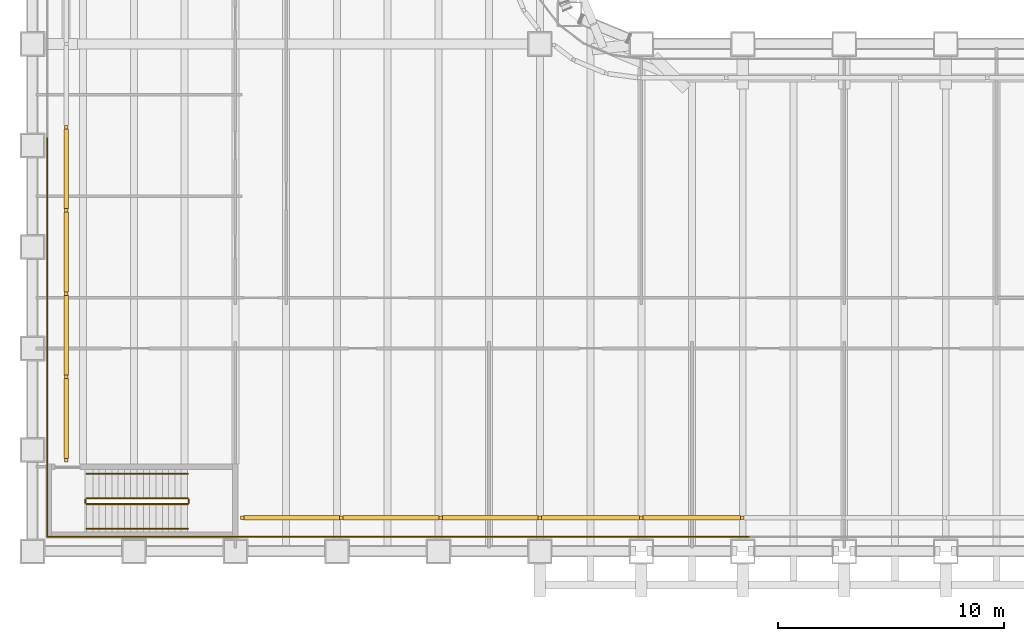
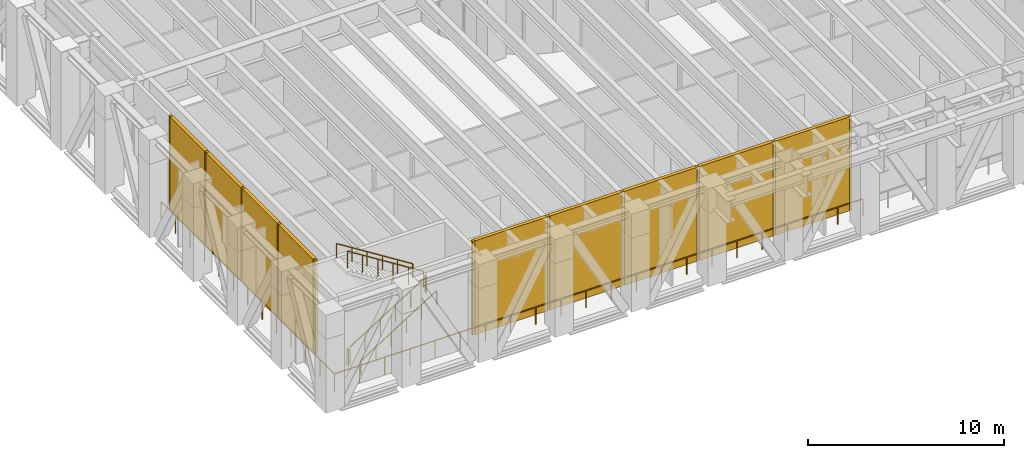
# One storey, part 14 of 19: 20 shading devices, 17 railings.
"""IFC4 building model written with IfcOpenShell, lengths in metres."""

from ifc_helpers import new_model, si_unit, direction, frame, origin, origin_2d, place, context, subcontext, project, spatial, rectangle, extrude, material, layer, layer_set, type_object, element, save


model = new_model("IFC4")

# Units and contexts
model_context = context("Model", 3, precision=1e-05, world=origin(), true_north=direction((0.0, 1.0)))
body_context = subcontext(model_context, "Body", "Model", "MODEL_VIEW")
ifc_project = project(units=[si_unit("LENGTHUNIT", "METRE"), si_unit("AREAUNIT", "SQUARE_METRE"), si_unit("VOLUMEUNIT", "CUBIC_METRE"), si_unit("PLANEANGLEUNIT", "RADIAN"), si_unit("MASSUNIT", "GRAM", prefix="KILO")], contexts=[model_context])

# Site, building, storey
site_placement = place(None, origin())
site = spatial("IfcSite", under=ifc_project, at=site_placement, CompositionType="ELEMENT")
building_placement = place(site_placement, origin())
building = spatial("IfcBuilding", under=site, at=building_placement, Name="Sennacour Bend Tower", CompositionType="ELEMENT")
storey_placement = place(building_placement, frame((0.0, 0.0, 77.0)))
storey = spatial("IfcBuildingStorey", under=building, at=storey_placement, Name="L17", CompositionType="ELEMENT", Elevation=77.0)

# Railings
ifc_material_1 = material(Name="Stainless steel 316", Category="steel")
railing_type_1 = type_object("IfcRailingType", Name="GUARD 1100", PredefinedType="GUARDRAIL", material=ifc_material_1)
railing_1_placement = place(storey_placement, frame((31.770263671875, 0.64990234375, 0.0)))
element("IfcRailing", 1, at=railing_1_placement, inside=storey, type_object=railing_type_1, Name="Guard L17", PredefinedType="GUARDRAIL", context=body_context, shape_type="SweptSolid", body=[
    extrude(rectangle(XDim=0.048095703125, YDim=0.048095703125, at=origin_2d()), frame((0.0, 0.0, 1.076171875), z_axis=(-1.0, 0.0, 0.0), x_axis=(0.0, -1.0, 0.0)), (0.0, 0.0, 1.0), 4.44580078125),
    extrude(rectangle(XDim=0.0419921875, YDim=0.0419921875, at=origin_2d()), origin(), (0.0, 0.0, 1.0), 1.052001953125),
    extrude(rectangle(XDim=0.0419921875, YDim=0.0419921875, at=origin_2d()), frame((-1.48193359375, 0.0, 0.0)), (0.0, 0.0, 1.0), 1.052001953125),
    extrude(rectangle(XDim=0.0419921875, YDim=0.0419921875, at=origin_2d()), frame((-2.9638671875, 0.0, 0.0)), (0.0, 0.0, 1.0), 1.052001953125),
    extrude(rectangle(XDim=0.0419921875, YDim=0.0419921875, at=origin_2d()), frame((-4.44580078125, 0.0, 0.0)), (0.0, 0.0, 1.0), 1.052001953125),
])
railing_2_placement = place(storey_placement, frame((27.324462890625, 0.64990234375, 0.0)))
element("IfcRailing", 2, at=railing_2_placement, inside=storey, type_object=railing_type_1, Name="Guard L17", PredefinedType="GUARDRAIL", context=body_context, shape_type="SweptSolid", body=[
    extrude(rectangle(XDim=0.048095703125, YDim=0.048095703125, at=origin_2d()), frame((0.0, 0.0, 1.076171875), z_axis=(-1.0, 0.0, 0.0), x_axis=(0.0, -1.0, 0.0)), (0.0, 0.0, 1.0), 4.445556640625),
    extrude(rectangle(XDim=0.0419921875, YDim=0.0419921875, at=origin_2d()), origin(), (0.0, 0.0, 1.0), 1.052001953125),
    extrude(rectangle(XDim=0.0419921875, YDim=0.0419921875, at=origin_2d()), frame((-1.48193359375, 0.0, 0.0)), (0.0, 0.0, 1.0), 1.052001953125),
    extrude(rectangle(XDim=0.0419921875, YDim=0.0419921875, at=origin_2d()), frame((-2.963623046875, 0.0, 0.0)), (0.0, 0.0, 1.0), 1.052001953125),
    extrude(rectangle(XDim=0.0419921875, YDim=0.0419921875, at=origin_2d()), frame((-4.445556640625, 0.0, 0.0)), (0.0, 0.0, 1.0), 1.052001953125),
])
for number, where, name in (
    (3, (22.87890625, 0.64990234375, 0.0), "Guard L17"),
    (4, (18.43310546875, 0.64990234375, 0.0), "Guard L17"),
    (5, (13.9873046875, 0.64990234375, 0.0), "Guard L17"),
    (6, (9.54150390625, 0.64990234375, 0.0), "Guard L17"),
    (7, (5.095703125, 0.64990234375, 0.0), "Guard L17"),
):
    element("IfcRailing", number, at=place(storey_placement, frame(where)), inside=storey, type_object=railing_type_1, Name=name, PredefinedType="GUARDRAIL", context=body_context, shape_type="SweptSolid", body=[
        extrude(rectangle(XDim=0.048095703125, YDim=0.048095703125, at=origin_2d()), frame((0.0, 0.0, 1.076171875), z_axis=(-1.0, 0.0, 0.0), x_axis=(0.0, -1.0, 0.0)), (0.0, 0.0, 1.0), 4.44580078125),
        extrude(rectangle(XDim=0.0419921875, YDim=0.0419921875, at=origin_2d()), origin(), (0.0, 0.0, 1.0), 1.052001953125),
        extrude(rectangle(XDim=0.0419921875, YDim=0.0419921875, at=origin_2d()), frame((-1.48193359375, 0.0, 0.0)), (0.0, 0.0, 1.0), 1.052001953125),
        extrude(rectangle(XDim=0.0419921875, YDim=0.0419921875, at=origin_2d()), frame((-2.9638671875, 0.0, 0.0)), (0.0, 0.0, 1.0), 1.052001953125),
        extrude(rectangle(XDim=0.0419921875, YDim=0.0419921875, at=origin_2d()), frame((-4.44580078125, 0.0, 0.0)), (0.0, 0.0, 1.0), 1.052001953125),
    ])
for number, where, name in (
    (8, (0.64990234375, 0.64990234375, 0.0), "Guard L17"),
    (9, (0.64990234375, 5.068603515625, 0.0), "Guard L17"),
    (10, (0.64990234375, 9.4873046875, 0.0), "Guard L17"),
):
    element("IfcRailing", number, at=place(storey_placement, frame(where)), inside=storey, type_object=railing_type_1, Name=name, PredefinedType="GUARDRAIL", context=body_context, shape_type="SweptSolid", body=[
        extrude(rectangle(XDim=0.048095703125, YDim=0.048095703125, at=origin_2d()), frame((0.0, 0.0, 1.076171875), z_axis=(0.0, 1.0, 0.0), x_axis=(-1.0, 0.0, 0.0)), (0.0, 0.0, 1.0), 4.418701171875),
        extrude(rectangle(XDim=0.0419921875, YDim=0.0419921875, at=origin_2d()), origin(), (0.0, 0.0, 1.0), 1.052001953125),
        extrude(rectangle(XDim=0.0419921875, YDim=0.0419921875, at=origin_2d()), frame((0.0, 1.472900390625, 0.0)), (0.0, 0.0, 1.0), 1.052001953125),
        extrude(rectangle(XDim=0.0419921875, YDim=0.0419921875, at=origin_2d()), frame((0.0, 2.94580078125, 0.0)), (0.0, 0.0, 1.0), 1.052001953125),
        extrude(rectangle(XDim=0.0419921875, YDim=0.0419921875, at=origin_2d()), frame((0.0, 4.418701171875, 0.0)), (0.0, 0.0, 1.0), 1.052001953125),
    ])
railing_3_placement = place(storey_placement, frame((0.64990234375, 13.906005859375, 0.0)))
element("IfcRailing", 11, at=railing_3_placement, inside=storey, type_object=railing_type_1, Name="Guard L17", PredefinedType="GUARDRAIL", context=body_context, shape_type="SweptSolid", body=[
    extrude(rectangle(XDim=0.048095703125, YDim=0.048095703125, at=origin_2d()), frame((0.0, 0.0, 1.076171875), z_axis=(0.0, 1.0, 0.0), x_axis=(-1.0, 0.0, 0.0)), (0.0, 0.0, 1.0), 4.41845703125),
    extrude(rectangle(XDim=0.0419921875, YDim=0.0419921875, at=origin_2d()), origin(), (0.0, 0.0, 1.0), 1.052001953125),
    extrude(rectangle(XDim=0.0419921875, YDim=0.0419921875, at=origin_2d()), frame((0.0, 1.472900390625, 0.0)), (0.0, 0.0, 1.0), 1.052001953125),
    extrude(rectangle(XDim=0.0419921875, YDim=0.0419921875, at=origin_2d()), frame((0.0, 2.945556640625, 0.0)), (0.0, 0.0, 1.0), 1.052001953125),
    extrude(rectangle(XDim=0.0419921875, YDim=0.0419921875, at=origin_2d()), frame((0.0, 4.41845703125, 0.0)), (0.0, 0.0, 1.0), 1.052001953125),
])

# Shading devices
ifc_material_2 = material(Name="Dark bronze anodised aluminium louvre", Category="aluminium")
ifc_layer = layer(ifc_material_2, 0.199951171875, Name="Dark bronze anodised aluminium louvre", Category="aluminium")
ifc_layer_set = layer_set([ifc_layer], Name="Dark bronze anodised aluminium louvre")
shading_device_type_1 = type_object("IfcShadingDeviceType", Name="LOUVRE BANK 200", PredefinedType="USERDEFINED", material=ifc_layer_set)
for number, where, z_axis, x_axis, name in (
    (12, (29.233642578125, 1.5, 0.0), (0.0, 0.0, 1.0), (-1.0, 0.0, 0.0), "Louvre bank L17"),
    (13, (24.74462890625, 1.5, 0.0), (0.0, 0.0, 1.0), (-1.0, 0.0, 0.0), "Louvre bank L17"),
):
    element("IfcShadingDevice", number, at=place(storey_placement, frame(where, z_axis=z_axis, x_axis=x_axis)), inside=storey, type_object=shading_device_type_1, Name=name, ObjectType="LOUVRE", PredefinedType="USERDEFINED", context=body_context, shape_type="SweptSolid", body=[
        extrude(rectangle(XDim=4.34912109375, YDim=0.199951171875, at=origin_2d()), origin(), (0.0, 0.0, 1.0), 5.85009765625),
    ])
for number, where, z_axis, x_axis, name in (
    (14, (20.300048828125, 1.5, 0.0), (0.0, 0.0, 1.0), (-1.0, 0.0, 0.0), "Louvre bank L17"),
    (15, (15.89990234375, 1.5, 0.0), (0.0, 0.0, 1.0), (-1.0, 0.0, 0.0), "Louvre bank L17"),
    (16, (11.5, 1.5, 0.0), (0.0, 0.0, 1.0), (-1.0, 0.0, 0.0), "Louvre bank L17"),
):
    element("IfcShadingDevice", number, at=place(storey_placement, frame(where, z_axis=z_axis, x_axis=x_axis)), inside=storey, type_object=shading_device_type_1, Name=name, ObjectType="LOUVRE", PredefinedType="USERDEFINED", context=body_context, shape_type="SweptSolid", body=[
        extrude(rectangle(XDim=4.260009765625, YDim=0.199951171875, at=origin_2d()), origin(), (0.0, 0.0, 1.0), 5.85009765625),
    ])
for number, where, z_axis, x_axis, name in (
    (17, (1.5, 5.89501953125, 0.0), (0.0, 0.0, 1.0), (0.0, 1.0, 0.0), "Louvre bank L17"),
    (18, (1.5, 9.5849609375, 0.0), (0.0, 0.0, 1.0), (0.0, 1.0, 0.0), "Louvre bank L17"),
    (19, (1.5, 13.27490234375, 0.0), (0.0, 0.0, 1.0), (0.0, 1.0, 0.0), "Louvre bank L17"),
    (20, (1.5, 16.965087890625, 0.0), (0.0, 0.0, 1.0), (0.0, 1.0, 0.0), "Louvre bank L17"),
):
    element("IfcShadingDevice", number, at=place(storey_placement, frame(where, z_axis=z_axis, x_axis=x_axis)), inside=storey, type_object=shading_device_type_1, Name=name, ObjectType="LOUVRE", PredefinedType="USERDEFINED", context=body_context, shape_type="SweptSolid", body=[
        extrude(rectangle(XDim=3.550048828125, YDim=0.199951171875, at=origin_2d()), origin(), (0.0, 0.0, 1.0), 5.85009765625),
    ])
shading_device_type_2 = type_object("IfcShadingDeviceType", Name="LOUVRE WALL POST 150", PredefinedType="USERDEFINED", material=ifc_material_2)
for number, where, z_axis, x_axis, name in (
    (21, (31.478271484375, 1.5, 0.0), (0.0, 0.0, 1.0), (1.0, 0.0, 0.0), "Louvre wall post L17"),
    (22, (26.989013671875, 1.5, 0.0), (0.0, 0.0, 1.0), (1.0, 0.0, 0.0), "Louvre wall post L17"),
    (23, (22.5, 1.5, 0.0), (0.0, 0.0, 1.0), (1.0, 0.0, 0.0), "Louvre wall post L17"),
    (24, (18.10009765625, 1.5, 0.0), (0.0, 0.0, 1.0), (1.0, 0.0, 0.0), "Louvre wall post L17"),
    (25, (13.699951171875, 1.5, 0.0), (0.0, 0.0, 1.0), (1.0, 0.0, 0.0), "Louvre wall post L17"),
    (26, (9.300048828125, 1.5, 0.0), (0.0, 0.0, 1.0), (1.0, 0.0, 0.0), "Louvre wall post L17"),
    (27, (1.5, 4.050048828125, 0.0), (0.0, 0.0, 1.0), (1.0, 0.0, 0.0), "Louvre wall post L17"),
    (28, (1.5, 7.739990234375, 0.0), (0.0, 0.0, 1.0), (1.0, 0.0, 0.0), "Louvre wall post L17"),
    (29, (1.5, 11.429931640625, 0.0), (0.0, 0.0, 1.0), (1.0, 0.0, 0.0), "Louvre wall post L17"),
    (30, (1.5, 15.1201171875, 0.0), (0.0, 0.0, 1.0), (1.0, 0.0, 0.0), "Louvre wall post L17"),
    (31, (1.5, 18.81005859375, 0.0), (0.0, 0.0, 1.0), (1.0, 0.0, 0.0), "Louvre wall post L17"),
):
    element("IfcShadingDevice", number, at=place(storey_placement, frame(where, z_axis=z_axis, x_axis=x_axis)), inside=storey, type_object=shading_device_type_2, Name=name, ObjectType="LOUVRE", PredefinedType="USERDEFINED", context=body_context, shape_type="SweptSolid", body=[
        extrude(rectangle(XDim=0.14990234375, YDim=0.14990234375, at=origin_2d()), origin(), (0.0, 0.0, 1.0), 5.85009765625),
    ])

# Railings
ifc_material_3 = material(Name="Stainless steel", Category="steel")
railing_type_2 = type_object("IfcRailingType", Name="RL-GUARD-1100", PredefinedType="GUARDRAIL", material=ifc_material_3)
railing_4_placement = place(storey_placement, frame((2.39990234375, 2.10009765625, 0.176513671875)))
element("IfcRailing", 32, at=railing_4_placement, inside=storey, type_object=railing_type_2, Name="L17 SK1 stair guard 1", PredefinedType="GUARDRAIL", context=body_context, shape_type="SweptSolid", body=[
    extrude(rectangle(XDim=0.048095703125, YDim=0.048095703125, at=origin_2d()), frame((0.0, 0.0, 1.076171875), z_axis=(0.845997938375, 0.0, 0.533186166611), x_axis=(0.0, 1.0, 0.0)), (0.0, 0.0, 1.0), 5.29541015625),
    extrude(rectangle(XDim=0.0419921875, YDim=0.0419921875, at=origin_2d()), origin(), (0.0, 0.0, 1.0), 1.052001953125),
    extrude(rectangle(XDim=0.0419921875, YDim=0.0419921875, at=origin_2d()), frame((0.89599609375, 0.0, 0.564697265625)), (0.0, 0.0, 1.0), 1.052001953125),
    extrude(rectangle(XDim=0.0419921875, YDim=0.0419921875, at=origin_2d()), frame((1.7919921875, 0.0, 1.12939453125)), (0.0, 0.0, 1.0), 1.052001953125),
    extrude(rectangle(XDim=0.0419921875, YDim=0.0419921875, at=origin_2d()), frame((2.68798828125, 0.0, 1.694091796875)), (0.0, 0.0, 1.0), 1.052001953125),
    extrude(rectangle(XDim=0.0419921875, YDim=0.0419921875, at=origin_2d()), frame((3.583984375, 0.0, 2.2587890625)), (0.0, 0.0, 1.0), 1.052001953125),
    extrude(rectangle(XDim=0.0419921875, YDim=0.0419921875, at=origin_2d()), frame((4.47998046875, 0.0, 2.823486328125)), (0.0, 0.0, 1.0), 1.052001953125),
])
railing_5_placement = place(storey_placement, frame((6.929931640625, 2.14990234375, 3.0)))
element("IfcRailing", 33, at=railing_5_placement, inside=storey, type_object=railing_type_2, Name="L17 SK1 stair guard 2", PredefinedType="GUARDRAIL", context=body_context, shape_type="SweptSolid", body=[
    extrude(rectangle(XDim=0.048095703125, YDim=0.048095703125, at=origin_2d()), frame((0.0, 0.0, 1.076171875), z_axis=(0.0, 1.0, 0.0), x_axis=(-1.0, 0.0, 0.0)), (0.0, 0.0, 1.0), 0.150146484375),
    extrude(rectangle(XDim=0.0419921875, YDim=0.0419921875, at=origin_2d()), origin(), (0.0, 0.0, 1.0), 1.052001953125),
    extrude(rectangle(XDim=0.0419921875, YDim=0.0419921875, at=origin_2d()), frame((0.0, 0.150146484375, 0.0)), (0.0, 0.0, 1.0), 1.052001953125),
])
railing_6_placement = place(storey_placement, frame((6.8798828125, 2.35009765625, 3.176513671875)))
element("IfcRailing", 34, at=railing_6_placement, inside=storey, type_object=railing_type_2, Name="L17 SK1 stair guard 3", PredefinedType="GUARDRAIL", context=body_context, shape_type="SweptSolid", body=[
    extrude(rectangle(XDim=0.048095703125, YDim=0.048095703125, at=origin_2d()), frame((0.0, 0.0, 1.076171875), z_axis=(-0.845997938375, 0.0, 0.533186166611), x_axis=(0.0, -1.0, 0.0)), (0.0, 0.0, 1.0), 5.29541015625),
    extrude(rectangle(XDim=0.0419921875, YDim=0.0419921875, at=origin_2d()), origin(), (0.0, 0.0, 1.0), 1.052001953125),
    extrude(rectangle(XDim=0.0419921875, YDim=0.0419921875, at=origin_2d()), frame((-0.89599609375, 0.0, 0.564697265625)), (0.0, 0.0, 1.0), 1.052001953125),
    extrude(rectangle(XDim=0.0419921875, YDim=0.0419921875, at=origin_2d()), frame((-1.7919921875, 0.0, 1.12939453125)), (0.0, 0.0, 1.0), 1.052001953125),
    extrude(rectangle(XDim=0.0419921875, YDim=0.0419921875, at=origin_2d()), frame((-2.68798828125, 0.0, 1.694091796875)), (0.0, 0.0, 1.0), 1.052001953125),
    extrude(rectangle(XDim=0.0419921875, YDim=0.0419921875, at=origin_2d()), frame((-3.583984375, 0.0, 2.2587890625)), (0.0, 0.0, 1.0), 1.052001953125),
    extrude(rectangle(XDim=0.0419921875, YDim=0.0419921875, at=origin_2d()), frame((-4.47998046875, 0.0, 2.823486328125)), (0.0, 0.0, 1.0), 1.052001953125),
])
railing_7_placement = place(storey_placement, frame((2.35009765625, 2.14990234375, 0.0)))
element("IfcRailing", 35, at=railing_7_placement, inside=storey, type_object=railing_type_2, Name="L17 SK1 stair guard 4", PredefinedType="GUARDRAIL", context=body_context, shape_type="SweptSolid", body=[
    extrude(rectangle(XDim=0.048095703125, YDim=0.048095703125, at=origin_2d()), frame((0.0, 0.0, 1.076171875), z_axis=(0.0, 1.0, 0.0), x_axis=(-1.0, 0.0, 0.0)), (0.0, 0.0, 1.0), 0.150146484375),
    extrude(rectangle(XDim=0.0419921875, YDim=0.0419921875, at=origin_2d()), origin(), (0.0, 0.0, 1.0), 1.052001953125),
    extrude(rectangle(XDim=0.0419921875, YDim=0.0419921875, at=origin_2d()), frame((0.0, 0.150146484375, 0.0)), (0.0, 0.0, 1.0), 1.052001953125),
])
railing_type_3 = type_object("IfcRailingType", Name="RL-HANDRAIL-900", PredefinedType="HANDRAIL", material=ifc_material_3)
railing_8_placement = place(storey_placement, frame((2.39990234375, 1.0, 0.176513671875)))
element("IfcRailing", 36, at=railing_8_placement, inside=storey, type_object=railing_type_3, Name="L17 SK1 stair handrail 1", PredefinedType="HANDRAIL", context=body_context, shape_type="SweptSolid", body=[
    extrude(rectangle(XDim=0.048095703125, YDim=0.048095703125, at=origin_2d()), frame((0.0, 0.0, 0.8759765625), z_axis=(0.845997938375, 0.0, 0.533186166611), x_axis=(0.0, 1.0, 0.0)), (0.0, 0.0, 1.0), 5.29541015625),
    extrude(rectangle(XDim=0.0419921875, YDim=0.0419921875, at=origin_2d()), origin(), (0.0, 0.0, 1.0), 0.851806640625),
    extrude(rectangle(XDim=0.0419921875, YDim=0.0419921875, at=origin_2d()), frame((0.89599609375, 0.0, 0.564697265625)), (0.0, 0.0, 1.0), 0.851806640625),
    extrude(rectangle(XDim=0.0419921875, YDim=0.0419921875, at=origin_2d()), frame((1.7919921875, 0.0, 1.12939453125)), (0.0, 0.0, 1.0), 0.851806640625),
    extrude(rectangle(XDim=0.0419921875, YDim=0.0419921875, at=origin_2d()), frame((2.68798828125, 0.0, 1.694091796875)), (0.0, 0.0, 1.0), 0.851806640625),
    extrude(rectangle(XDim=0.0419921875, YDim=0.0419921875, at=origin_2d()), frame((3.583984375, 0.0, 2.2587890625)), (0.0, 0.0, 1.0), 0.851806640625),
    extrude(rectangle(XDim=0.0419921875, YDim=0.0419921875, at=origin_2d()), frame((4.47998046875, 0.0, 2.823486328125)), (0.0, 0.0, 1.0), 0.851806640625),
])
railing_9_placement = place(storey_placement, frame((6.8798828125, 3.449951171875, 3.176513671875)))
element("IfcRailing", 37, at=railing_9_placement, inside=storey, type_object=railing_type_3, Name="L17 SK1 stair handrail 2", PredefinedType="HANDRAIL", context=body_context, shape_type="SweptSolid", body=[
    extrude(rectangle(XDim=0.048095703125, YDim=0.048095703125, at=origin_2d()), frame((0.0, 0.0, 0.8759765625), z_axis=(-0.845997938375, 0.0, 0.533186166611), x_axis=(0.0, -1.0, 0.0)), (0.0, 0.0, 1.0), 5.29541015625),
    extrude(rectangle(XDim=0.0419921875, YDim=0.0419921875, at=origin_2d()), origin(), (0.0, 0.0, 1.0), 0.851806640625),
    extrude(rectangle(XDim=0.0419921875, YDim=0.0419921875, at=origin_2d()), frame((-0.89599609375, 0.0, 0.564697265625)), (0.0, 0.0, 1.0), 0.851806640625),
    extrude(rectangle(XDim=0.0419921875, YDim=0.0419921875, at=origin_2d()), frame((-1.7919921875, 0.0, 1.12939453125)), (0.0, 0.0, 1.0), 0.851806640625),
    extrude(rectangle(XDim=0.0419921875, YDim=0.0419921875, at=origin_2d()), frame((-2.68798828125, 0.0, 1.694091796875)), (0.0, 0.0, 1.0), 0.851806640625),
    extrude(rectangle(XDim=0.0419921875, YDim=0.0419921875, at=origin_2d()), frame((-3.583984375, 0.0, 2.2587890625)), (0.0, 0.0, 1.0), 0.851806640625),
    extrude(rectangle(XDim=0.0419921875, YDim=0.0419921875, at=origin_2d()), frame((-4.47998046875, 0.0, 2.823486328125)), (0.0, 0.0, 1.0), 0.851806640625),
])

save(model, "model.ifc")
